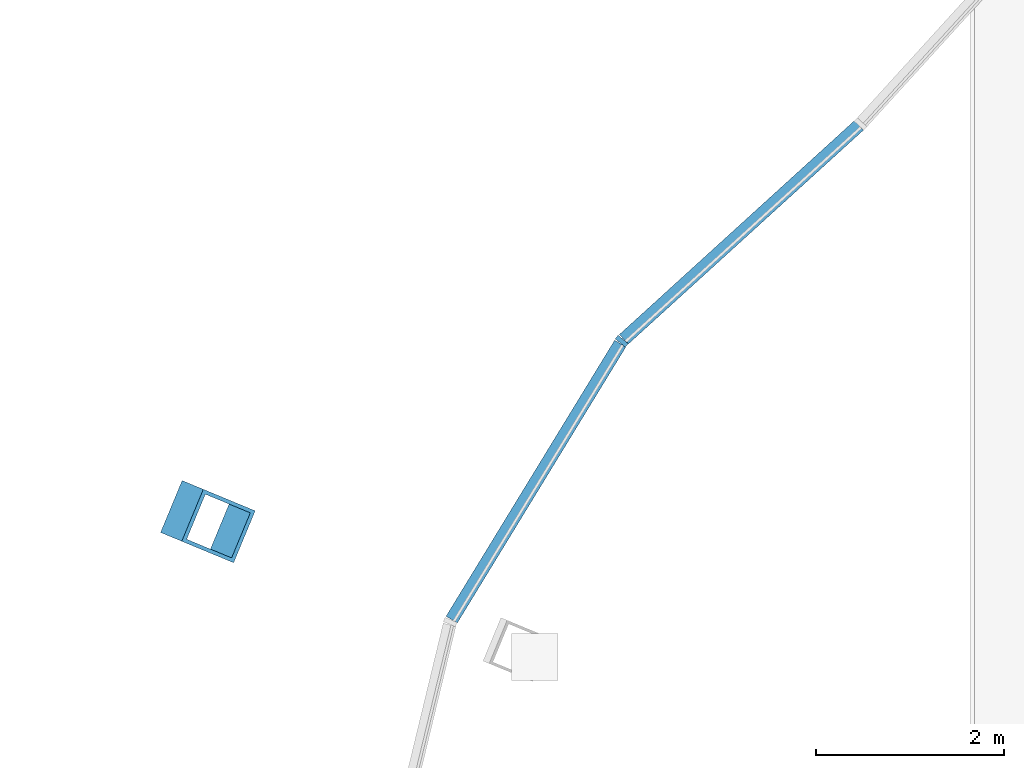
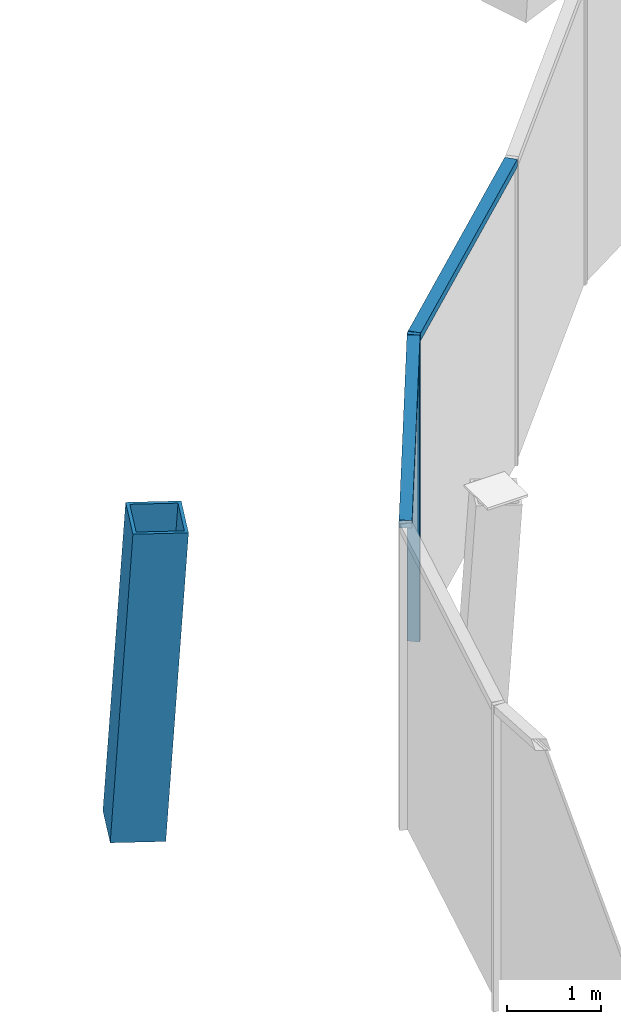
# One storey, part 8 of 16: 4 members, 1 element without a shape of its own.
"""IFC4 building model written with IfcOpenShell, lengths in metres."""

from ifc_helpers import new_model, si_unit, direction, frame, origin, origin_2d, place, context, subcontext, project, spatial, rectangle, hollow_rectangle, extrude, material, material_profile, profile_set, type_object, element, aggregate, save


model = new_model("IFC4")

# Units and contexts
model_context = context("Model", 3, precision=1e-05, world=origin(), true_north=direction((0.0, 1.0)))
body_context = subcontext(model_context, "Body", "Model", "MODEL_VIEW")
ifc_project = project(units=[si_unit("LENGTHUNIT", "METRE"), si_unit("AREAUNIT", "SQUARE_METRE"), si_unit("VOLUMEUNIT", "CUBIC_METRE"), si_unit("PLANEANGLEUNIT", "RADIAN"), si_unit("MASSUNIT", "GRAM", prefix="KILO")], contexts=[model_context])

# Site, building, storey
site_placement = place(None, origin())
site = spatial("IfcSite", under=ifc_project, at=site_placement, CompositionType="ELEMENT")
building_placement = place(site_placement, origin())
building = spatial("IfcBuilding", under=site, at=building_placement, Name="Ogive Gate Towers", CompositionType="ELEMENT")
storey_placement = place(building_placement, frame((0.0, 0.0, 310.0)))
storey = spatial("IfcBuildingStorey", under=building, at=storey_placement, Name="L73", CompositionType="ELEMENT", Elevation=310.0)

# Curtain wall, members
ifc_material_1 = material(Name="Pale metal aluminium", Category="aluminium")
curtain_wall_type = type_object("IfcCurtainWallType", Name="Crown lean wall", PredefinedType="NOTDEFINED", material=ifc_material_1)
curtain_wall_placement = place(storey_placement, origin())
curtain_wall = element("IfcCurtainWall", 1, at=curtain_wall_placement, inside=storey, type_object=curtain_wall_type, Name="CW5 T2 ECW02", PredefinedType="NOTDEFINED")
ifc_material_profile_1 = material_profile(ifc_material_1, rectangle(XDim=0.139892578125, YDim=0.050048828125, at=origin_2d()), Name="50 x 140 aluminium box")
ifc_profile_set_1 = profile_set([ifc_material_profile_1], Name="Pale metal aluminium")
member_type_1 = type_object("IfcMemberType", Name="Crown lean wall mullion 50 x 140", PredefinedType="MULLION", material=ifc_profile_set_1)
member_1_placement = place(storey_placement, frame((21.285888671875, 9.84765625, -0.300048828125), z_axis=(0.0, 0.0, 1.0), x_axis=(0.770935828882, -0.63691282586, 0.0)))
member_1 = element("IfcMember", 2, at=member_1_placement, type_object=member_type_1, Name="CW5 mullion", PredefinedType="MULLION", context=body_context, shape_type="SweptSolid", body=[
    extrude(rectangle(XDim=0.139892578125, YDim=0.050048828125, at=origin_2d()), origin(), (0.0, 0.0, 1.0), 4.0),
])
ifc_material_profile_2 = material_profile(ifc_material_1, rectangle(XDim=0.139892578125, YDim=0.10009765625, at=origin_2d()), Name="100 x 140 aluminium box")
ifc_profile_set_2 = profile_set([ifc_material_profile_2], Name="Pale metal aluminium")
member_type_2 = type_object("IfcMemberType", Name="Crown lean wall transom 100 x 140", PredefinedType="USERDEFINED", material=ifc_profile_set_2)
member_2_placement = place(storey_placement, frame((19.471923828125, 6.8779296875, 3.64990234375), z_axis=(0.521232488691, 0.853414724934, 0.0), x_axis=(-0.853414724934, 0.521232488691, 0.0)))
member_2 = element("IfcMember", 3, at=member_2_placement, type_object=member_type_2, Name="CW5 transom", ObjectType="TRANSOM", PredefinedType="USERDEFINED", context=body_context, shape_type="SweptSolid", body=[
    extrude(rectangle(XDim=0.139892578125, YDim=0.10009765625, at=origin_2d()), origin(), (0.0, 0.0, 1.0), 3.45068359375),
])
member_3_placement = place(storey_placement, frame((21.307373046875, 9.867431640625, 3.64990234375), z_axis=(0.739747895653, 0.672884128864, 0.0), x_axis=(-0.672884128864, 0.739747895653, 0.0)))
member_3 = element("IfcMember", 4, at=member_3_placement, type_object=member_type_2, Name="CW5 transom", ObjectType="TRANSOM", PredefinedType="USERDEFINED", context=body_context, shape_type="SweptSolid", body=[
    extrude(rectangle(XDim=0.139892578125, YDim=0.10009765625, at=origin_2d()), origin(), (0.0, 0.0, 1.0), 3.39208984375),
])
aggregate(curtain_wall, [member_1, member_2, member_3])

# Member
ifc_material_2 = material(Name="Steel SM460", Category="steel")
ifc_material_profile_3 = material_profile(ifc_material_2, hollow_rectangle(XDim=0.60009765625, YDim=0.60009765625, WallThickness=0.0400390625, at=origin_2d()), Name="BX 600x600x40")
ifc_profile_set_3 = profile_set([ifc_material_profile_3], Name="Steel SM460")
member_type_3 = type_object("IfcMemberType", Name="Crown rib BX 600x600x40", PredefinedType="MEMBER", material=ifc_profile_set_3)
member_4_placement = place(storey_placement, frame((16.7587890625, 7.969970703125, 0.0), z_axis=(0.056413057581, -0.02339375174, 0.998133407573), x_axis=(0.383056544411, 0.923724896159, 0.0)))
element("IfcMember", 5, at=member_4_placement, inside=storey, type_object=member_type_3, Name="T2/L73/STR002", PredefinedType="MEMBER", context=body_context, shape_type="SweptSolid", body=[
    extrude(hollow_rectangle(XDim=0.60009765625, YDim=0.60009765625, WallThickness=0.0400390625, at=origin_2d()), origin(), (0.0, 0.0, 1.0), 4.007568359375),
])

save(model, "model.ifc")
